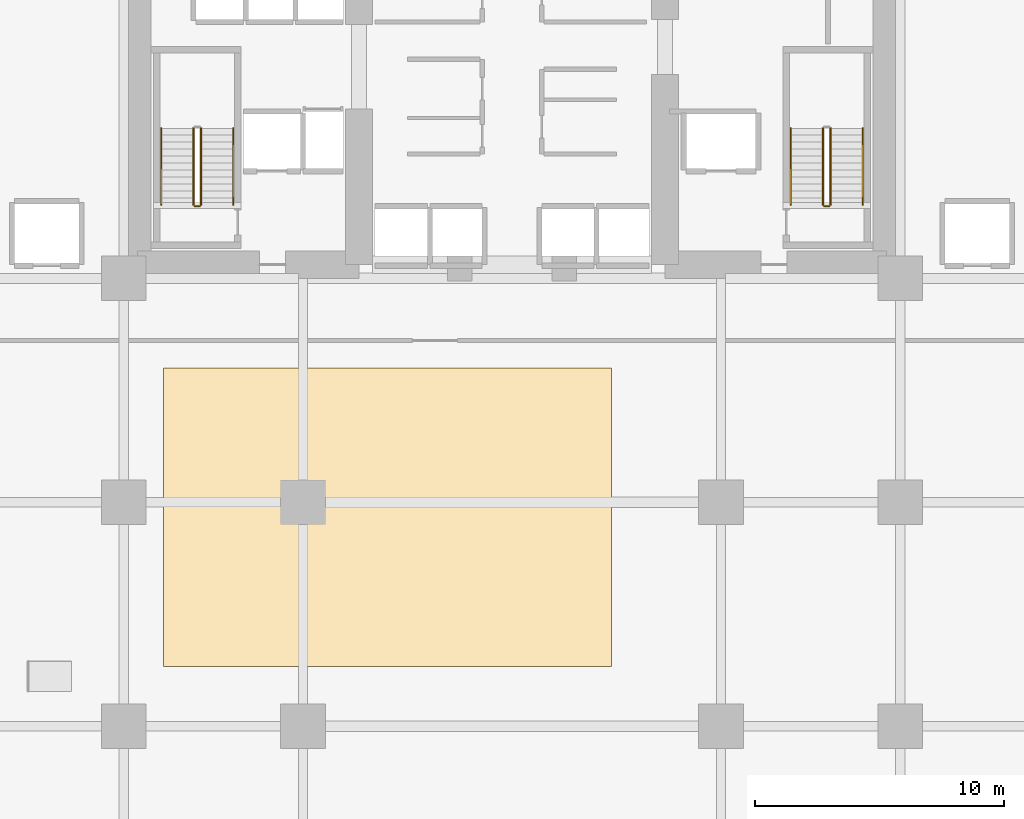
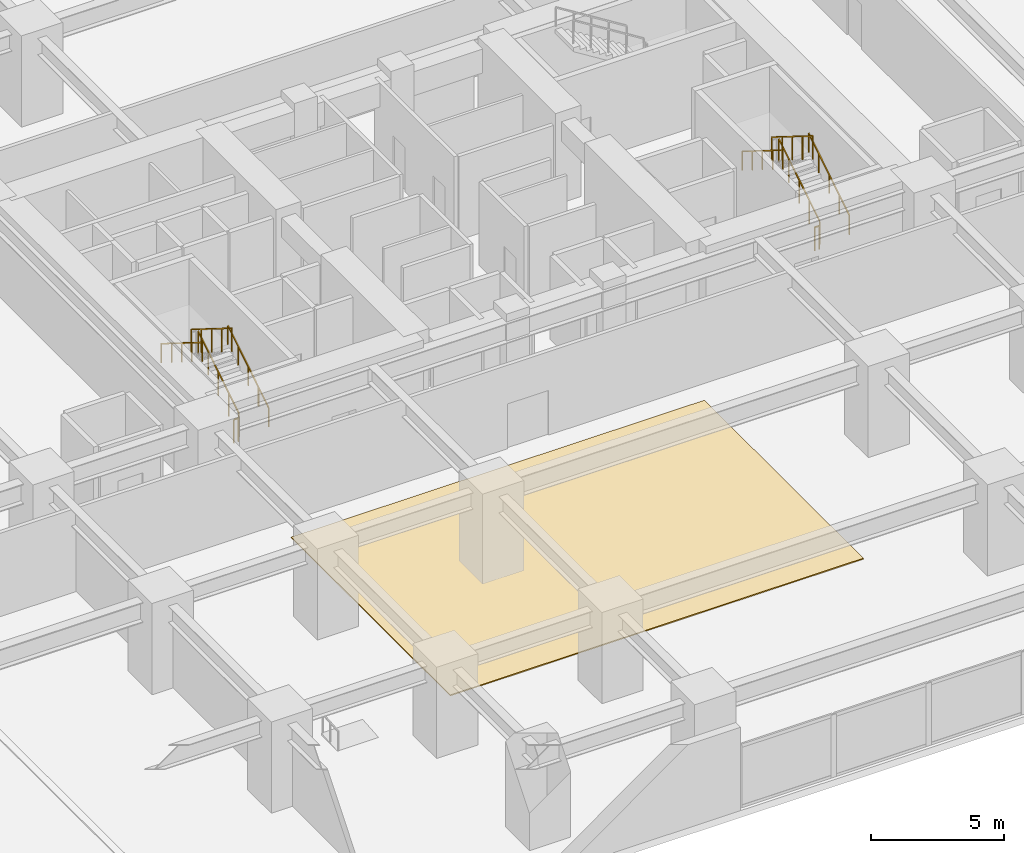
# One storey, part 16 of 22: 10 railings, 1 covering.
"""IFC4 building model written with IfcOpenShell, lengths in metres."""

from ifc_helpers import new_model, si_unit, direction, frame, origin, origin_2d, place, context, subcontext, project, spatial, polyline, rectangle, outline, extrude, material, layer, layer_set, type_object, element, save


model = new_model("IFC4")

# Units and contexts
model_context = context("Model", 3, precision=1e-05, world=origin(), true_north=direction((0.0, 1.0)))
body_context = subcontext(model_context, "Body", "Model", "MODEL_VIEW")
ifc_project = project(units=[si_unit("LENGTHUNIT", "METRE"), si_unit("AREAUNIT", "SQUARE_METRE"), si_unit("VOLUMEUNIT", "CUBIC_METRE"), si_unit("PLANEANGLEUNIT", "RADIAN"), si_unit("MASSUNIT", "GRAM", prefix="KILO")], contexts=[model_context])

# Site, building, storey
site_placement = place(None, origin())
site = spatial("IfcSite", under=ifc_project, at=site_placement, CompositionType="ELEMENT")
building_placement = place(site_placement, origin())
building = spatial("IfcBuilding", under=site, at=building_placement, Name="Kiyonajd Concourse Tower", CompositionType="ELEMENT")
storey_placement = place(building_placement, frame((0.0, 0.0, 12.89990234375)))
storey = spatial("IfcBuildingStorey", under=building, at=storey_placement, Name="L04", CompositionType="ELEMENT", Elevation=12.89990234375)

# Covering
ifc_material_1 = material(Name="Riyadh Jubaila Limestone", Category="masonry")
ifc_layer = layer(ifc_material_1, 0.050048828125)
ifc_layer_set = layer_set([ifc_layer], Name="Riyadh Jubaila Limestone")
covering_type = type_object("IfcCoveringType", Name="CV-FLR-RAISED", PredefinedType="FLOORING", material=ifc_layer_set)
covering_placement = place(storey_placement, origin())
element("IfcCovering", 1, at=covering_placement, inside=storey, type_object=covering_type, Name="L04 Limestone Floor Finish", PredefinedType="FLOORING", context=body_context, shape_type="SweptSolid", body=[
    extrude(outline(polyline([(34.0, 12.0), (52.0, 12.0), (52.0, 24.0), (34.0, 24.0), (34.0, 12.0)])), origin(), (0.0, 0.0, 1.0), 0.050048828125),
])

# Railings
ifc_material_2 = material(Name="Steel ASTM A500 Grade C", Category="steel")
railing_type_1 = type_object("IfcRailingType", Name="RL-GRD-STR", PredefinedType="GUARDRAIL", material=ifc_material_2)
railing_1_placement = place(storey_placement, frame((35.5, 30.550048828125, 0.175048828125)))
element("IfcRailing", 2, at=railing_1_placement, inside=storey, type_object=railing_type_1, Name="L04 ST1 stair guard 1", PredefinedType="GUARDRAIL", context=body_context, shape_type="SweptSolid", body=[
    extrude(rectangle(XDim=0.048095703125, YDim=0.048095703125, at=origin_2d()), frame((0.0, 0.0, 1.076171875), z_axis=(0.0, 0.847979421464, 0.530029150871), x_axis=(-1.0, 0.0, 0.0)), (0.0, 0.0, 1.0), 3.632080078125),
    extrude(rectangle(XDim=0.0419921875, YDim=0.0419921875, at=origin_2d()), origin(), (0.0, 0.0, 1.0), 1.052001953125),
    extrude(rectangle(XDim=0.0419921875, YDim=0.0419921875, at=origin_2d()), frame((0.0, 0.77001953125, 0.481201171875)), (0.0, 0.0, 1.0), 1.052001953125),
    extrude(rectangle(XDim=0.0419921875, YDim=0.0419921875, at=origin_2d()), frame((0.0, 1.5400390625, 0.96240234375)), (0.0, 0.0, 1.0), 1.052001953125),
    extrude(rectangle(XDim=0.0419921875, YDim=0.0419921875, at=origin_2d()), frame((0.0, 2.309814453125, 1.44384765625)), (0.0, 0.0, 1.0), 1.052001953125),
    extrude(rectangle(XDim=0.0419921875, YDim=0.0419921875, at=origin_2d()), frame((0.0, 3.079833984375, 1.925048828125)), (0.0, 0.0, 1.0), 1.052001953125),
])
railing_2_placement = place(storey_placement, frame((35.199951171875, 33.6298828125, 2.275146484375)))
element("IfcRailing", 3, at=railing_2_placement, inside=storey, type_object=railing_type_1, Name="L04 ST1 stair guard 3", PredefinedType="GUARDRAIL", context=body_context, shape_type="SweptSolid", body=[
    extrude(rectangle(XDim=0.048095703125, YDim=0.048095703125, at=origin_2d()), frame((0.0, 0.0, 1.076171875), z_axis=(0.0, -0.847979421464, 0.530029150871), x_axis=(1.0, 0.0, 0.0)), (0.0, 0.0, 1.0), 3.632080078125),
    extrude(rectangle(XDim=0.0419921875, YDim=0.0419921875, at=origin_2d()), origin(), (0.0, 0.0, 1.0), 1.052001953125),
    extrude(rectangle(XDim=0.0419921875, YDim=0.0419921875, at=origin_2d()), frame((0.0, -0.77001953125, 0.481201171875)), (0.0, 0.0, 1.0), 1.052001953125),
    extrude(rectangle(XDim=0.0419921875, YDim=0.0419921875, at=origin_2d()), frame((0.0, -1.5400390625, 0.96240234375)), (0.0, 0.0, 1.0), 1.052001953125),
    extrude(rectangle(XDim=0.0419921875, YDim=0.0419921875, at=origin_2d()), frame((0.0, -2.309814453125, 1.44384765625)), (0.0, 0.0, 1.0), 1.052001953125),
    extrude(rectangle(XDim=0.0419921875, YDim=0.0419921875, at=origin_2d()), frame((0.0, -3.079833984375, 1.925048828125)), (0.0, 0.0, 1.0), 1.052001953125),
])
railing_3_placement = place(storey_placement, frame((35.449951171875, 30.5, 0.0)))
element("IfcRailing", 4, at=railing_3_placement, inside=storey, type_object=railing_type_1, Name="L04 ST1 stair guard 4", PredefinedType="GUARDRAIL", context=body_context, shape_type="SweptSolid", body=[
    extrude(rectangle(XDim=0.048095703125, YDim=0.048095703125, at=origin_2d()), frame((0.0, 0.0, 1.076171875), z_axis=(-1.0, 0.0, 0.0), x_axis=(0.0, -1.0, 0.0)), (0.0, 0.0, 1.0), 0.199951171875),
    extrude(rectangle(XDim=0.0419921875, YDim=0.0419921875, at=origin_2d()), origin(), (0.0, 0.0, 1.0), 1.052001953125),
    extrude(rectangle(XDim=0.0419921875, YDim=0.0419921875, at=origin_2d()), frame((-0.199951171875, 0.0, 0.0)), (0.0, 0.0, 1.0), 1.052001953125),
])
railing_4_placement = place(storey_placement, frame((60.800048828125, 30.550048828125, 0.175048828125)))
element("IfcRailing", 5, at=railing_4_placement, inside=storey, type_object=railing_type_1, Name="L04 ST2 stair guard 1", PredefinedType="GUARDRAIL", context=body_context, shape_type="SweptSolid", body=[
    extrude(rectangle(XDim=0.048095703125, YDim=0.048095703125, at=origin_2d()), frame((0.0, 0.0, 1.076171875), z_axis=(0.0, 0.847979421464, 0.530029150871), x_axis=(-1.0, 0.0, 0.0)), (0.0, 0.0, 1.0), 3.632080078125),
    extrude(rectangle(XDim=0.0419921875, YDim=0.0419921875, at=origin_2d()), origin(), (0.0, 0.0, 1.0), 1.052001953125),
    extrude(rectangle(XDim=0.0419921875, YDim=0.0419921875, at=origin_2d()), frame((0.0, 0.77001953125, 0.481201171875)), (0.0, 0.0, 1.0), 1.052001953125),
    extrude(rectangle(XDim=0.0419921875, YDim=0.0419921875, at=origin_2d()), frame((0.0, 1.5400390625, 0.96240234375)), (0.0, 0.0, 1.0), 1.052001953125),
    extrude(rectangle(XDim=0.0419921875, YDim=0.0419921875, at=origin_2d()), frame((0.0, 2.309814453125, 1.44384765625)), (0.0, 0.0, 1.0), 1.052001953125),
    extrude(rectangle(XDim=0.0419921875, YDim=0.0419921875, at=origin_2d()), frame((0.0, 3.079833984375, 1.925048828125)), (0.0, 0.0, 1.0), 1.052001953125),
])
railing_5_placement = place(storey_placement, frame((60.5, 33.6298828125, 2.275146484375)))
element("IfcRailing", 6, at=railing_5_placement, inside=storey, type_object=railing_type_1, Name="L04 ST2 stair guard 3", PredefinedType="GUARDRAIL", context=body_context, shape_type="SweptSolid", body=[
    extrude(rectangle(XDim=0.048095703125, YDim=0.048095703125, at=origin_2d()), frame((0.0, 0.0, 1.076171875), z_axis=(0.0, -0.847979421464, 0.530029150871), x_axis=(1.0, 0.0, 0.0)), (0.0, 0.0, 1.0), 3.632080078125),
    extrude(rectangle(XDim=0.0419921875, YDim=0.0419921875, at=origin_2d()), origin(), (0.0, 0.0, 1.0), 1.052001953125),
    extrude(rectangle(XDim=0.0419921875, YDim=0.0419921875, at=origin_2d()), frame((0.0, -0.77001953125, 0.481201171875)), (0.0, 0.0, 1.0), 1.052001953125),
    extrude(rectangle(XDim=0.0419921875, YDim=0.0419921875, at=origin_2d()), frame((0.0, -1.5400390625, 0.96240234375)), (0.0, 0.0, 1.0), 1.052001953125),
    extrude(rectangle(XDim=0.0419921875, YDim=0.0419921875, at=origin_2d()), frame((0.0, -2.309814453125, 1.44384765625)), (0.0, 0.0, 1.0), 1.052001953125),
    extrude(rectangle(XDim=0.0419921875, YDim=0.0419921875, at=origin_2d()), frame((0.0, -3.079833984375, 1.925048828125)), (0.0, 0.0, 1.0), 1.052001953125),
])
railing_6_placement = place(storey_placement, frame((60.75, 30.5, 0.0)))
element("IfcRailing", 7, at=railing_6_placement, inside=storey, type_object=railing_type_1, Name="L04 ST2 stair guard 4", PredefinedType="GUARDRAIL", context=body_context, shape_type="SweptSolid", body=[
    extrude(rectangle(XDim=0.048095703125, YDim=0.048095703125, at=origin_2d()), frame((0.0, 0.0, 1.076171875), z_axis=(-1.0, 0.0, 0.0), x_axis=(0.0, -1.0, 0.0)), (0.0, 0.0, 1.0), 0.199951171875),
    extrude(rectangle(XDim=0.0419921875, YDim=0.0419921875, at=origin_2d()), origin(), (0.0, 0.0, 1.0), 1.052001953125),
    extrude(rectangle(XDim=0.0419921875, YDim=0.0419921875, at=origin_2d()), frame((-0.199951171875, 0.0, 0.0)), (0.0, 0.0, 1.0), 1.052001953125),
])
ifc_material_3 = material(Name="Brushed Stainless Steel Cab Assembly", Category="steel")
railing_type_2 = type_object("IfcRailingType", Name="RL-HND-900", PredefinedType="HANDRAIL", material=ifc_material_3)
railing_7_placement = place(storey_placement, frame((36.800048828125, 30.550048828125, 0.175048828125)))
element("IfcRailing", 8, at=railing_7_placement, inside=storey, type_object=railing_type_2, Name="L04 ST1 stair handrail 1", PredefinedType="HANDRAIL", context=body_context, shape_type="SweptSolid", body=[
    extrude(rectangle(XDim=0.048095703125, YDim=0.048095703125, at=origin_2d()), frame((0.0, 0.0, 0.8759765625), z_axis=(0.0, 0.847979421464, 0.530029150871), x_axis=(-1.0, 0.0, 0.0)), (0.0, 0.0, 1.0), 3.632080078125),
    extrude(rectangle(XDim=0.0419921875, YDim=0.0419921875, at=origin_2d()), origin(), (0.0, 0.0, 1.0), 0.851806640625),
    extrude(rectangle(XDim=0.0419921875, YDim=0.0419921875, at=origin_2d()), frame((0.0, 0.77001953125, 0.481201171875)), (0.0, 0.0, 1.0), 0.851806640625),
    extrude(rectangle(XDim=0.0419921875, YDim=0.0419921875, at=origin_2d()), frame((0.0, 1.5400390625, 0.96240234375)), (0.0, 0.0, 1.0), 0.851806640625),
    extrude(rectangle(XDim=0.0419921875, YDim=0.0419921875, at=origin_2d()), frame((0.0, 2.309814453125, 1.44384765625)), (0.0, 0.0, 1.0), 0.851806640625),
    extrude(rectangle(XDim=0.0419921875, YDim=0.0419921875, at=origin_2d()), frame((0.0, 3.079833984375, 1.925048828125)), (0.0, 0.0, 1.0), 0.851806640625),
])
railing_8_placement = place(storey_placement, frame((33.89990234375, 33.6298828125, 2.275146484375)))
element("IfcRailing", 9, at=railing_8_placement, inside=storey, type_object=railing_type_2, Name="L04 ST1 stair handrail 2", PredefinedType="HANDRAIL", context=body_context, shape_type="SweptSolid", body=[
    extrude(rectangle(XDim=0.048095703125, YDim=0.048095703125, at=origin_2d()), frame((0.0, 0.0, 0.8759765625), z_axis=(0.0, -0.847979421464, 0.530029150871), x_axis=(1.0, 0.0, 0.0)), (0.0, 0.0, 1.0), 3.632080078125),
    extrude(rectangle(XDim=0.0419921875, YDim=0.0419921875, at=origin_2d()), origin(), (0.0, 0.0, 1.0), 0.851806640625),
    extrude(rectangle(XDim=0.0419921875, YDim=0.0419921875, at=origin_2d()), frame((0.0, -0.77001953125, 0.481201171875)), (0.0, 0.0, 1.0), 0.851806640625),
    extrude(rectangle(XDim=0.0419921875, YDim=0.0419921875, at=origin_2d()), frame((0.0, -1.5400390625, 0.96240234375)), (0.0, 0.0, 1.0), 0.851806640625),
    extrude(rectangle(XDim=0.0419921875, YDim=0.0419921875, at=origin_2d()), frame((0.0, -2.309814453125, 1.44384765625)), (0.0, 0.0, 1.0), 0.851806640625),
    extrude(rectangle(XDim=0.0419921875, YDim=0.0419921875, at=origin_2d()), frame((0.0, -3.079833984375, 1.925048828125)), (0.0, 0.0, 1.0), 0.851806640625),
])
railing_9_placement = place(storey_placement, frame((62.10009765625, 30.550048828125, 0.175048828125)))
element("IfcRailing", 10, at=railing_9_placement, inside=storey, type_object=railing_type_2, Name="L04 ST2 stair handrail 1", PredefinedType="HANDRAIL", context=body_context, shape_type="SweptSolid", body=[
    extrude(rectangle(XDim=0.048095703125, YDim=0.048095703125, at=origin_2d()), frame((0.0, 0.0, 0.8759765625), z_axis=(0.0, 0.847979421464, 0.530029150871), x_axis=(-1.0, 0.0, 0.0)), (0.0, 0.0, 1.0), 3.632080078125),
    extrude(rectangle(XDim=0.0419921875, YDim=0.0419921875, at=origin_2d()), origin(), (0.0, 0.0, 1.0), 0.851806640625),
    extrude(rectangle(XDim=0.0419921875, YDim=0.0419921875, at=origin_2d()), frame((0.0, 0.77001953125, 0.481201171875)), (0.0, 0.0, 1.0), 0.851806640625),
    extrude(rectangle(XDim=0.0419921875, YDim=0.0419921875, at=origin_2d()), frame((0.0, 1.5400390625, 0.96240234375)), (0.0, 0.0, 1.0), 0.851806640625),
    extrude(rectangle(XDim=0.0419921875, YDim=0.0419921875, at=origin_2d()), frame((0.0, 2.309814453125, 1.44384765625)), (0.0, 0.0, 1.0), 0.851806640625),
    extrude(rectangle(XDim=0.0419921875, YDim=0.0419921875, at=origin_2d()), frame((0.0, 3.079833984375, 1.925048828125)), (0.0, 0.0, 1.0), 0.851806640625),
])
railing_10_placement = place(storey_placement, frame((59.199951171875, 33.6298828125, 2.275146484375)))
element("IfcRailing", 11, at=railing_10_placement, inside=storey, type_object=railing_type_2, Name="L04 ST2 stair handrail 2", PredefinedType="HANDRAIL", context=body_context, shape_type="SweptSolid", body=[
    extrude(rectangle(XDim=0.048095703125, YDim=0.048095703125, at=origin_2d()), frame((0.0, 0.0, 0.8759765625), z_axis=(0.0, -0.847979421464, 0.530029150871), x_axis=(1.0, 0.0, 0.0)), (0.0, 0.0, 1.0), 3.632080078125),
    extrude(rectangle(XDim=0.0419921875, YDim=0.0419921875, at=origin_2d()), origin(), (0.0, 0.0, 1.0), 0.851806640625),
    extrude(rectangle(XDim=0.0419921875, YDim=0.0419921875, at=origin_2d()), frame((0.0, -0.77001953125, 0.481201171875)), (0.0, 0.0, 1.0), 0.851806640625),
    extrude(rectangle(XDim=0.0419921875, YDim=0.0419921875, at=origin_2d()), frame((0.0, -1.5400390625, 0.96240234375)), (0.0, 0.0, 1.0), 0.851806640625),
    extrude(rectangle(XDim=0.0419921875, YDim=0.0419921875, at=origin_2d()), frame((0.0, -2.309814453125, 1.44384765625)), (0.0, 0.0, 1.0), 0.851806640625),
    extrude(rectangle(XDim=0.0419921875, YDim=0.0419921875, at=origin_2d()), frame((0.0, -3.079833984375, 1.925048828125)), (0.0, 0.0, 1.0), 0.851806640625),
])

save(model, "model.ifc")
